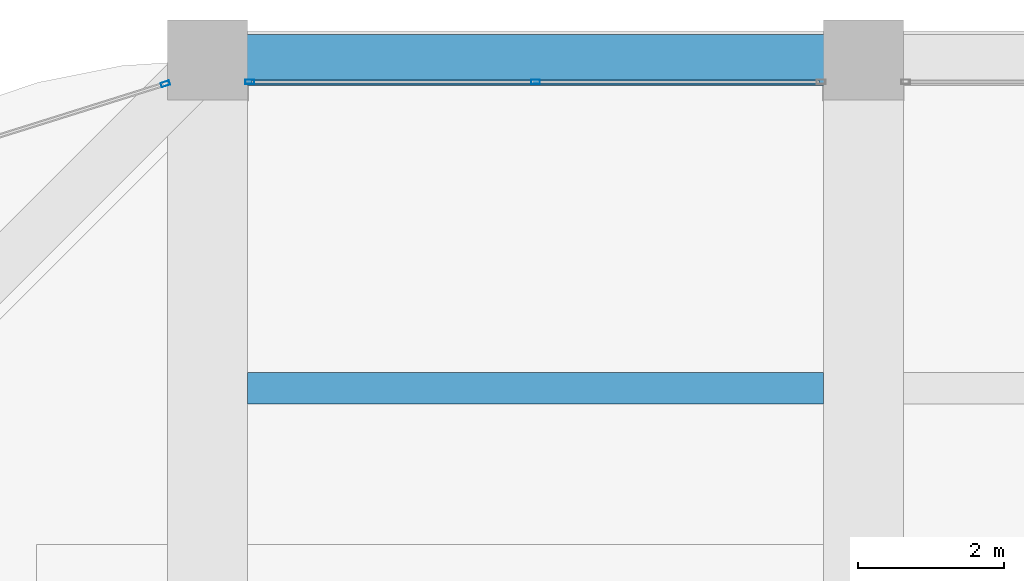
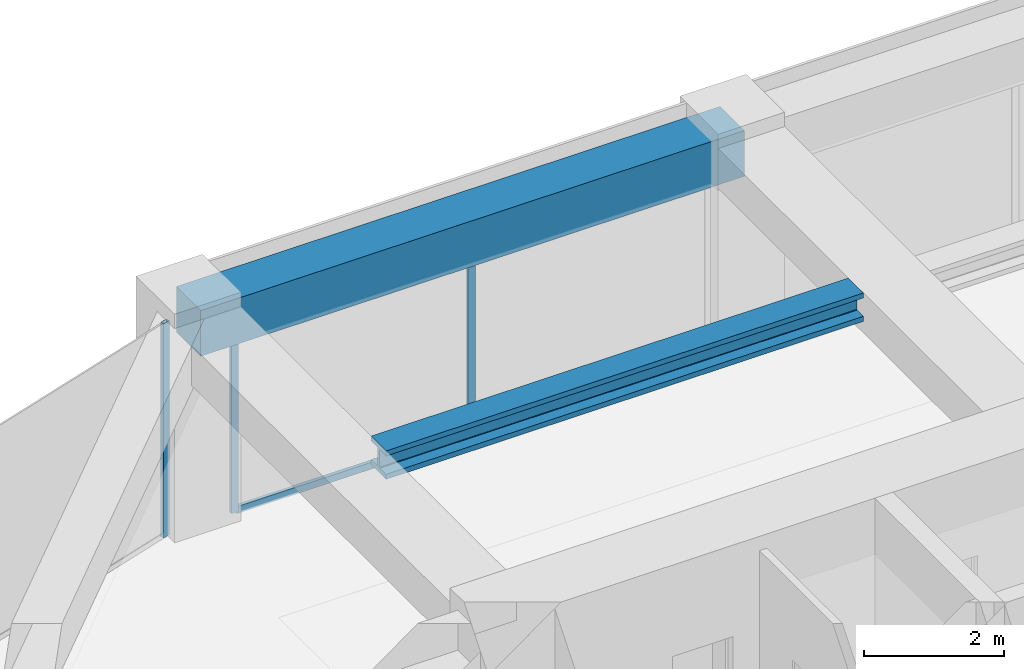
# One storey, part 31 of 44: 4 members, 2 beams, 2 elements without a shape of their own.
"""IFC4 building model written with IfcOpenShell, lengths in metres."""

from ifc_helpers import new_model, si_unit, direction, frame, origin, origin_2d, place, context, subcontext, project, spatial, rectangle, hollow_rectangle, i_section, extrude, material, material_profile, profile_set, type_object, element, aggregate, save


model = new_model("IFC4")

# Units and contexts
model_context = context("Model", 3, precision=1e-05, world=origin(), true_north=direction((0.0, 1.0)))
body_context = subcontext(model_context, "Body", "Model", "MODEL_VIEW")
ifc_project = project(units=[si_unit("LENGTHUNIT", "METRE"), si_unit("AREAUNIT", "SQUARE_METRE"), si_unit("VOLUMEUNIT", "CUBIC_METRE"), si_unit("PLANEANGLEUNIT", "RADIAN"), si_unit("MASSUNIT", "GRAM", prefix="KILO")], contexts=[model_context])

# Site, building, storey
site_placement = place(None, origin())
site = spatial("IfcSite", under=ifc_project, at=site_placement, CompositionType="ELEMENT")
building_placement = place(site_placement, origin())
building = spatial("IfcBuilding", under=site, at=building_placement, Name="Zorevar Civic Tower", CompositionType="ELEMENT")
storey_placement = place(building_placement, frame((0.0, 0.0, 287.39990234375)))
storey = spatial("IfcBuildingStorey", under=building, at=storey_placement, Name="L70", CompositionType="ELEMENT", Elevation=287.39990234375)

# Curtain wall, members
ifc_material_1 = material(Name="Dark grey solar-control glass in black aluminium frame", Category="aluminium")
curtain_wall_type = type_object("IfcCurtainWallType", Name="Curtain wall CW5 top zone", PredefinedType="NOTDEFINED", material=ifc_material_1)
curtain_wall_1_placement = place(storey_placement, origin())
curtain_wall_1 = element("IfcCurtainWall", 1, at=curtain_wall_1_placement, inside=storey, type_object=curtain_wall_type, Name="CW5 L70", PredefinedType="NOTDEFINED")
ifc_material_2 = material(Name="Aluminium, black anodised", Category="aluminium")
ifc_material_profile_1 = material_profile(ifc_material_2, hollow_rectangle(XDim=0.06005859375, YDim=0.1201171875, WallThickness=0.0029296875, at=origin_2d()), Name="AL 120x60x3")
ifc_profile_set_1 = profile_set([ifc_material_profile_1], Name="Aluminium, black anodised")
member_type_1 = type_object("IfcMemberType", Name="CW5 mullion AL 120x60x3", PredefinedType="MULLION", material=ifc_profile_set_1)
member_1_placement = place(storey_placement, frame((18.580078125, 44.699951171875, 0.0), z_axis=(0.0, 0.0, 1.0), x_axis=(0.0, 1.0, 0.0)))
member_1 = element("IfcMember", 2, at=member_1_placement, type_object=member_type_1, Name="CW5 mullion 1", PredefinedType="MULLION", context=body_context, shape_type="SweptSolid", body=[
    extrude(hollow_rectangle(XDim=0.06005859375, YDim=0.1201171875, WallThickness=0.0029296875, at=origin_2d()), origin(), (0.0, 0.0, 1.0), 2.9501953125),
])
member_2_placement = place(storey_placement, frame((22.5, 44.699951171875, 0.06005859375), z_axis=(0.0, 0.0, 1.0), x_axis=(0.0, 1.0, 0.0)))
member_2 = element("IfcMember", 3, at=member_2_placement, type_object=member_type_1, Name="CW5 mullion 2", PredefinedType="MULLION", context=body_context, shape_type="SweptSolid", body=[
    extrude(hollow_rectangle(XDim=0.06005859375, YDim=0.1201171875, WallThickness=0.0029296875, at=origin_2d()), origin(), (0.0, 0.0, 1.0), 2.89013671875),
])

# Curtain wall, member
curtain_wall_2_placement = place(storey_placement, origin())
curtain_wall_2 = element("IfcCurtainWall", 4, at=curtain_wall_2_placement, inside=storey, type_object=curtain_wall_type, Name="CW5 L70", PredefinedType="NOTDEFINED")
member_3_placement = place(storey_placement, frame((17.42138671875, 44.673583984375, 0.0), z_axis=(0.0, 0.0, 1.0), x_axis=(0.299317920238, -0.954153437674, 0.0)))
member_3 = element("IfcMember", 5, at=member_3_placement, type_object=member_type_1, Name="CW5 mullion 1", PredefinedType="MULLION", context=body_context, shape_type="SweptSolid", body=[
    extrude(hollow_rectangle(XDim=0.06005859375, YDim=0.1201171875, WallThickness=0.0029296875, at=origin_2d()), origin(), (0.0, 0.0, 1.0), 3.75),
])
aggregate(curtain_wall_2, [member_3])

# Member
ifc_material_3 = material(Name="Aluminium, black anodised", Category="aluminium")
ifc_material_profile_2 = material_profile(ifc_material_3, hollow_rectangle(XDim=0.06005859375, YDim=0.1201171875, WallThickness=0.0029296875, at=origin_2d()), Name="AL 120x60x3")
ifc_profile_set_2 = profile_set([ifc_material_profile_2], Name="Aluminium, black anodised")
member_type_2 = type_object("IfcMemberType", Name="CW5 transom AL 120x60x3", PredefinedType="USERDEFINED", material=ifc_profile_set_2)
member_4_placement = place(storey_placement, frame((18.610107421875, 44.699951171875, 0.030029296875), z_axis=(1.0, 0.0, 0.0), x_axis=(0.0, 1.0, 0.0)))
member_4 = element("IfcMember", 6, at=member_4_placement, type_object=member_type_2, Name="CW5 sill transom", ObjectType="TRANSOM", PredefinedType="USERDEFINED", context=body_context, shape_type="SweptSolid", body=[
    extrude(hollow_rectangle(XDim=0.06005859375, YDim=0.1201171875, WallThickness=0.0029296875, at=origin_2d()), origin(), (0.0, 0.0, 1.0), 7.77978515625),
])

aggregate(curtain_wall_1, [member_1, member_2, member_4])

# Beams
ifc_material_4 = material(Name="Steel S460M (HISTAR 460)", Category="steel")
ifc_material_profile_3 = material_profile(ifc_material_4, i_section(OverallWidth=0.431884765625, OverallDepth=0.498046875, WebThickness=0.0556640625, FlangeThickness=0.0888671875, FilletRadius=0.014892578125, at=origin_2d()), Name="HD 400x744")
ifc_profile_set_3 = profile_set([ifc_material_profile_3], Name="Steel S460M (HISTAR 460)")
beam_type_1 = type_object("IfcBeamType", Name="Core bay beam HD 400x744", PredefinedType="BEAM", material=ifc_profile_set_3)
beam_1_placement = place(storey_placement, frame((18.550048828125, 40.5, 3.5009765625), z_axis=(1.0, 0.0, 0.0), x_axis=(0.0, 1.0, 0.0)))
element("IfcBeam", 7, at=beam_1_placement, inside=storey, type_object=beam_type_1, Name="Secondary beam L71", PredefinedType="BEAM", context=body_context, shape_type="SweptSolid", body=[
    extrude(i_section(OverallWidth=0.431884765625, OverallDepth=0.498046875, WebThickness=0.0556640625, FlangeThickness=0.0888671875, FilletRadius=0.014892578125, at=origin_2d()), origin(), (0.0, 0.0, 1.0), 7.89990234375),
])
ifc_material_5 = material(Name="Concrete C50/60", Category="concrete")
ifc_material_profile_4 = material_profile(ifc_material_5, rectangle(XDim=0.699951171875, YDim=0.800048828125, at=origin_2d()), Name="RC 700x800")
ifc_profile_set_4 = profile_set([ifc_material_profile_4], Name="Concrete C50/60")
beam_type_2 = type_object("IfcBeamType", Name="Edge beam RC 700x800", PredefinedType="SPANDREL", material=ifc_profile_set_4)
beam_2_placement = place(storey_placement, frame((18.0, 45.0, 3.35009765625), z_axis=(1.0, 0.0, 0.0), x_axis=(0.0, 1.0, 0.0)))
element("IfcBeam", 8, at=beam_2_placement, inside=storey, type_object=beam_type_2, Name="Edge beam L71", PredefinedType="SPANDREL", context=body_context, shape_type="SweptSolid", body=[
    extrude(rectangle(XDim=0.699951171875, YDim=0.800048828125, at=origin_2d()), origin(), (0.0, 0.0, 1.0), 9.0),
])

save(model, "model.ifc")
